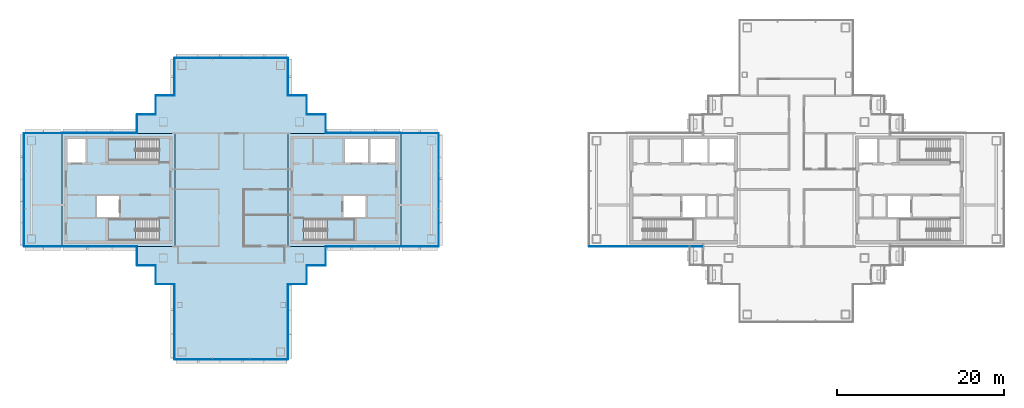
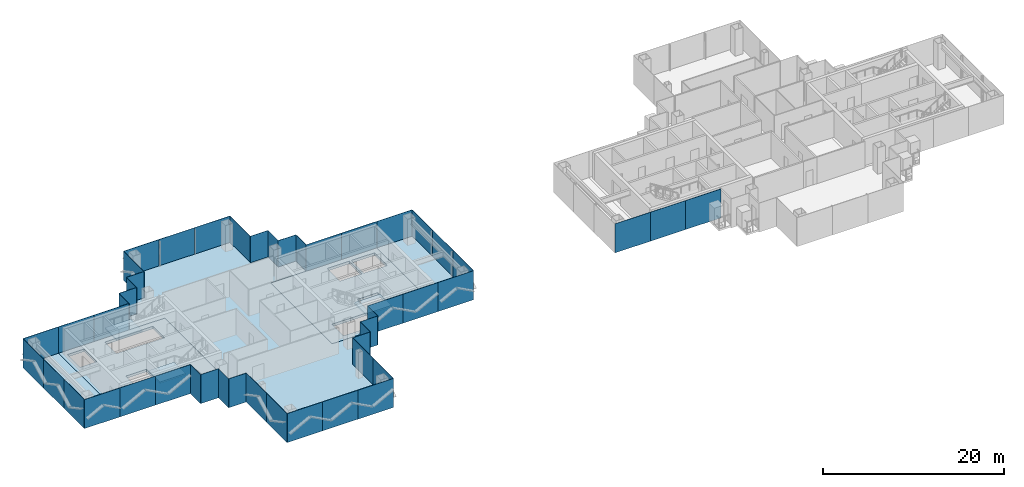
# One storey, part 7 of 17: 49 plates, 8 slabs, 25 elements without a shape of their own.
"""IFC4 building model written with IfcOpenShell, lengths in metres."""

from ifc_helpers import new_model, si_unit, direction, frame, origin, origin_2d, place, context, subcontext, project, spatial, polyline, rectangle, outline, extrude, material, layer, layer_set, type_object, element, aggregate, save


model = new_model("IFC4")

# Units and contexts
model_context = context("Model", 3, precision=1e-05, world=origin(), true_north=direction((0.0, 1.0)))
body_context = subcontext(model_context, "Body", "Model", "MODEL_VIEW")
ifc_project = project(units=[si_unit("LENGTHUNIT", "METRE"), si_unit("AREAUNIT", "SQUARE_METRE"), si_unit("VOLUMEUNIT", "CUBIC_METRE"), si_unit("PLANEANGLEUNIT", "RADIAN"), si_unit("MASSUNIT", "GRAM", prefix="KILO")], contexts=[model_context])

# Site, building, storey
site_placement = place(None, origin())
site = spatial("IfcSite", under=ifc_project, at=site_placement, CompositionType="ELEMENT")
building_placement = place(site_placement, origin())
building = spatial("IfcBuilding", under=site, at=building_placement, Name="Shamsa Quay Exchange Towers", CompositionType="ELEMENT")
storey_placement = place(building_placement, frame((0.0, 0.0, 198.300048828125)))
storey = spatial("IfcBuildingStorey", under=building, at=storey_placement, Name="L47", CompositionType="ELEMENT", Elevation=198.300048828125)

# Slabs
ifc_material_1 = material(Name="Concrete C50/60", Category="concrete")
ifc_layer_1 = layer(ifc_material_1, 0.35009765625)
ifc_layer_set_1 = layer_set([ifc_layer_1], Name="CORE FLOOR 350 C50/60")
slab_type_1 = type_object("IfcSlabType", Name="CORE FLOOR 350 C50/60", PredefinedType="FLOOR", material=ifc_layer_set_1)
slab_1_placement = place(storey_placement, frame((0.0, 0.0, -0.35009765625)))
element("IfcSlab", 1, at=slab_1_placement, inside=storey, type_object=slab_type_1, Name="Core floor T1A", PredefinedType="FLOOR", context=body_context, shape_type="SweptSolid", body=[
    extrude(outline(polyline([(-27.0, -6.75), (-13.5, -6.75), (-13.5, 6.75), (-27.0, 6.75), (-27.0, -6.75)]), holes=[polyline([(-25.099365234375, -6.050048828125), (-25.099365234375, -3.5), (-19.0, -3.5), (-19.0, -6.050048828125), (-25.099365234375, -6.050048828125)]), polyline([(-20.199951171875, 3.25), (-20.199951171875, 6.050048828125), (-17.39990234375, 6.050048828125), (-17.39990234375, 3.25), (-20.199951171875, 3.25)]), polyline([(-17.14990234375, 3.25), (-17.14990234375, 6.050048828125), (-14.199951171875, 6.050048828125), (-14.199951171875, 3.25), (-17.14990234375, 3.25)]), polyline([(-20.35009765625, -3.25), (-20.35009765625, -0.75), (-17.699951171875, -0.75), (-17.699951171875, -3.25), (-20.35009765625, -3.25)])]), origin(), (0.0, 0.0, 1.0), 0.35009765625),
])
slab_2_placement = place(storey_placement, frame((0.0, 0.0, -0.35009765625)))
element("IfcSlab", 2, at=slab_2_placement, inside=storey, type_object=slab_type_1, Name="Core floor T1B", PredefinedType="FLOOR", context=body_context, shape_type="SweptSolid", body=[
    extrude(outline(polyline([(-40.5, -6.75), (-40.5, 6.75), (-54.0, 6.75), (-54.0, -6.75), (-40.5, -6.75)]), holes=[polyline([(-42.400634765625, -3.5), (-42.400634765625, -6.050048828125), (-48.5, -6.050048828125), (-48.5, -3.5), (-42.400634765625, -3.5)]), polyline([(-42.400634765625, 6.050048828125), (-42.400634765625, 3.5), (-48.5, 3.5), (-48.5, 6.050048828125), (-42.400634765625, 6.050048828125)]), polyline([(-51.14990234375, 3.25), (-53.300048828125, 3.25), (-53.300048828125, 6.050048828125), (-51.14990234375, 6.050048828125), (-51.14990234375, 3.25)]), polyline([(-47.14990234375, -3.25), (-49.800048828125, -3.25), (-49.800048828125, -0.75), (-47.14990234375, -0.75), (-47.14990234375, -3.25)])]), origin(), (0.0, 0.0, 1.0), 0.35009765625),
])

# Stair, slab
ifc_material_2 = material(Name="Concrete C40/50", Category="concrete")
stair_type = type_object("IfcStairType", Name="EXIT STAIR 22 RISERS 177 MM", PredefinedType="HALF_TURN_STAIR", material=ifc_material_2)
stair_1_placement = place(storey_placement, origin())
stair_1 = element("IfcStair", 3, at=stair_1_placement, inside=storey, type_object=stair_type, Name="L47 Exit stair ST1", PredefinedType="HALF_TURN_STAIR")
ifc_layer_2 = layer(ifc_material_2, 0.199951171875)
ifc_layer_set_2 = layer_set([ifc_layer_2], Name="CORE STAIR LANDING")
slab_type_2 = type_object("IfcSlabType", Name="CORE STAIR LANDING", PredefinedType="LANDING", material=ifc_layer_set_2)
slab_3_placement = place(storey_placement, frame((0.0, 0.0, 1.75)))
slab_3 = element("IfcSlab", 4, at=slab_3_placement, type_object=slab_type_2, Name="ST1 landing 1", PredefinedType="LANDING", context=body_context, shape_type="SweptSolid", body=[
    extrude(outline(polyline([(-22.300048828125, -6.050048828125), (-19.0, -6.050048828125), (-19.0, -3.5), (-22.300048828125, -3.5), (-22.300048828125, -6.050048828125)])), origin(), (0.0, 0.0, 1.0), 0.199951171875),
])
aggregate(stair_1, [slab_3])

stair_2_placement = place(storey_placement, origin())
stair_2 = element("IfcStair", 5, at=stair_2_placement, inside=storey, type_object=stair_type, Name="L47 Exit stair ST2", PredefinedType="HALF_TURN_STAIR")
slab_4_placement = place(storey_placement, frame((0.0, 0.0, 1.75)))
slab_4 = element("IfcSlab", 6, at=slab_4_placement, type_object=slab_type_2, Name="ST2 landing 1", PredefinedType="LANDING", context=body_context, shape_type="SweptSolid", body=[
    extrude(outline(polyline([(-45.199951171875, -3.5), (-48.5, -3.5), (-48.5, -6.050048828125), (-45.199951171875, -6.050048828125), (-45.199951171875, -3.5)])), origin(), (0.0, 0.0, 1.0), 0.199951171875),
])
aggregate(stair_2, [slab_4])

stair_3_placement = place(storey_placement, origin())
stair_3 = element("IfcStair", 7, at=stair_3_placement, inside=storey, type_object=stair_type, Name="L47 Exit stair ST3", PredefinedType="HALF_TURN_STAIR")
slab_5_placement = place(storey_placement, frame((0.0, 0.0, 1.75)))
slab_5 = element("IfcSlab", 8, at=slab_5_placement, type_object=slab_type_2, Name="ST3 landing 1", PredefinedType="LANDING", context=body_context, shape_type="SweptSolid", body=[
    extrude(outline(polyline([(-45.199951171875, 6.050048828125), (-48.5, 6.050048828125), (-48.5, 3.5), (-45.199951171875, 3.5), (-45.199951171875, 6.050048828125)])), origin(), (0.0, 0.0, 1.0), 0.199951171875),
])
aggregate(stair_3, [slab_5])

# Curtain wall, plates
ifc_material_3 = material(Name="Aluminium EN AW-6063 T6, black anodised", Category="aluminium")
ifc_layer_3 = layer(ifc_material_3, 0.280029296875)
ifc_layer_set_3 = layer_set([ifc_layer_3], Name="CW-1 UNITISED VISION GLASS")
curtain_wall_type_1 = type_object("IfcCurtainWallType", Name="CW-1 UNITISED VISION GLASS", PredefinedType="NOTDEFINED", material=ifc_layer_set_3)
curtain_wall_1_placement = place(storey_placement, origin())
curtain_wall_1 = element("IfcCurtainWall", 9, at=curtain_wall_1_placement, inside=storey, type_object=curtain_wall_type_1, Name="CW1 T1-FLK-V-W L47", PredefinedType="NOTDEFINED")
ifc_material_4 = material(Name="Glass, laminated, dark tinted", Category="glass")
ifc_layer_4 = layer(ifc_material_4, 0.0400390625)
ifc_layer_set_4 = layer_set([ifc_layer_4], Name="CW-1 VISION GLASS 40")
plate_type_1 = type_object("IfcPlateType", Name="CW-1 VISION GLASS 40", PredefinedType="CURTAIN_PANEL", material=ifc_layer_set_4)
plate_1_placement = place(storey_placement, frame((-40.52001953125, -13.52587890625, -0.35009765625), z_axis=(0.0, 0.0, 1.0), x_axis=(0.0, -1.0, 0.0)))
plate_1 = element("IfcPlate", 10, at=plate_1_placement, type_object=plate_type_1, Name="CW1 glass panel", PredefinedType="CURTAIN_PANEL", context=body_context, shape_type="SweptSolid", body=[
    extrude(rectangle(XDim=4.47607421875, YDim=0.0400390625, at=origin_2d()), origin(), (0.0, 0.0, 1.0), 3.89990234375),
])
plate_2_placement = place(storey_placement, frame((-40.52001953125, -18.011962890625, -0.35009765625), z_axis=(0.0, 0.0, 1.0), x_axis=(0.0, -1.0, 0.0)))
plate_2 = element("IfcPlate", 11, at=plate_2_placement, type_object=plate_type_1, Name="CW1 glass panel", PredefinedType="CURTAIN_PANEL", context=body_context, shape_type="SweptSolid", body=[
    extrude(rectangle(XDim=4.47607421875, YDim=0.0400390625, at=origin_2d()), origin(), (0.0, 0.0, 1.0), 3.89990234375),
])
aggregate(curtain_wall_1, [plate_1, plate_2])

curtain_wall_2_placement = place(storey_placement, origin())
curtain_wall_2 = element("IfcCurtainWall", 12, at=curtain_wall_2_placement, inside=storey, type_object=curtain_wall_type_1, Name="CW1 T1-END-V- L47", PredefinedType="NOTDEFINED")
plate_3_placement = place(storey_placement, frame((-38.25244140625, -20.27001953125, -0.35009765625)))
plate_3 = element("IfcPlate", 13, at=plate_3_placement, type_object=plate_type_1, Name="CW1 glass panel", PredefinedType="CURTAIN_PANEL", context=body_context, shape_type="SweptSolid", body=[
    extrude(rectangle(XDim=4.4951171875, YDim=0.0400390625, at=origin_2d()), origin(), (0.0, 0.0, 1.0), 3.89990234375),
])
plate_4_placement = place(storey_placement, frame((-33.75, -20.27001953125, -0.35009765625)))
plate_4 = element("IfcPlate", 14, at=plate_4_placement, type_object=plate_type_1, Name="CW1 glass panel", PredefinedType="CURTAIN_PANEL", context=body_context, shape_type="SweptSolid", body=[
    extrude(rectangle(XDim=4.489990234375, YDim=0.0400390625, at=origin_2d()), origin(), (0.0, 0.0, 1.0), 3.89990234375),
])
plate_5_placement = place(storey_placement, frame((-29.24755859375, -20.27001953125, -0.35009765625)))
plate_5 = element("IfcPlate", 15, at=plate_5_placement, type_object=plate_type_1, Name="CW1 glass panel", PredefinedType="CURTAIN_PANEL", context=body_context, shape_type="SweptSolid", body=[
    extrude(rectangle(XDim=4.4951171875, YDim=0.0400390625, at=origin_2d()), origin(), (0.0, 0.0, 1.0), 3.89990234375),
])
aggregate(curtain_wall_2, [plate_3, plate_4, plate_5])

curtain_wall_3_placement = place(storey_placement, origin())
curtain_wall_3 = element("IfcCurtainWall", 16, at=curtain_wall_3_placement, inside=storey, type_object=curtain_wall_type_1, Name="CW1 T1-FLK-V-E L47", PredefinedType="NOTDEFINED")
plate_6_placement = place(storey_placement, frame((-26.97998046875, -18.00244140625, -0.35009765625), z_axis=(0.0, 0.0, 1.0), x_axis=(0.0, 1.0, 0.0)))
plate_6 = element("IfcPlate", 17, at=plate_6_placement, type_object=plate_type_1, Name="CW1 glass panel", PredefinedType="CURTAIN_PANEL", context=body_context, shape_type="SweptSolid", body=[
    extrude(rectangle(XDim=4.4951171875, YDim=0.0400390625, at=origin_2d()), origin(), (0.0, 0.0, 1.0), 3.89990234375),
])
plate_7_placement = place(storey_placement, frame((-26.97998046875, -13.49755859375, -0.35009765625), z_axis=(0.0, 0.0, 1.0), x_axis=(0.0, 1.0, 0.0)))
plate_7 = element("IfcPlate", 18, at=plate_7_placement, type_object=plate_type_1, Name="CW1 glass panel", PredefinedType="CURTAIN_PANEL", context=body_context, shape_type="SweptSolid", body=[
    extrude(rectangle(XDim=4.4951171875, YDim=0.0400390625, at=origin_2d()), origin(), (0.0, 0.0, 1.0), 3.89990234375),
])
aggregate(curtain_wall_3, [plate_6, plate_7])

# Curtain wall, plate
curtain_wall_4_placement = place(storey_placement, origin())
curtain_wall_4 = element("IfcCurtainWall", 19, at=curtain_wall_4_placement, inside=storey, type_object=curtain_wall_type_1, Name="CW1 T1-FLK-U+S L47", PredefinedType="NOTDEFINED")
plate_8_placement = place(storey_placement, frame((-11.25, -6.77001953125, -0.35009765625)))
plate_8 = element("IfcPlate", 20, at=plate_8_placement, type_object=plate_type_1, Name="CW1 glass panel", PredefinedType="CURTAIN_PANEL", context=body_context, shape_type="SweptSolid", body=[
    extrude(rectangle(XDim=4.5, YDim=0.0400390625, at=origin_2d()), origin(), (0.0, 0.0, 1.0), 3.89990234375),
])
aggregate(curtain_wall_4, [plate_8])

# Curtain wall, plates
curtain_wall_5_placement = place(storey_placement, origin())
curtain_wall_5 = element("IfcCurtainWall", 21, at=curtain_wall_5_placement, inside=storey, type_object=curtain_wall_type_1, Name="CW1 T1-END-U+ L47", PredefinedType="NOTDEFINED")
plate_9_placement = place(storey_placement, frame((-8.97998046875, -4.50244140625, -0.35009765625), z_axis=(0.0, 0.0, 1.0), x_axis=(0.0, 1.0, 0.0)))
plate_9 = element("IfcPlate", 22, at=plate_9_placement, type_object=plate_type_1, Name="CW1 glass panel", PredefinedType="CURTAIN_PANEL", context=body_context, shape_type="SweptSolid", body=[
    extrude(rectangle(XDim=4.4951171875, YDim=0.0400390625, at=origin_2d()), origin(), (0.0, 0.0, 1.0), 3.89990234375),
])
plate_10_placement = place(storey_placement, frame((-8.97998046875, 0.0, -0.35009765625), z_axis=(0.0, 0.0, 1.0), x_axis=(0.0, 1.0, 0.0)))
plate_10 = element("IfcPlate", 23, at=plate_10_placement, type_object=plate_type_1, Name="CW1 glass panel", PredefinedType="CURTAIN_PANEL", context=body_context, shape_type="SweptSolid", body=[
    extrude(rectangle(XDim=4.489990234375, YDim=0.0400390625, at=origin_2d()), origin(), (0.0, 0.0, 1.0), 3.89990234375),
])
plate_11_placement = place(storey_placement, frame((-8.97998046875, 4.50244140625, -0.35009765625), z_axis=(0.0, 0.0, 1.0), x_axis=(0.0, 1.0, 0.0)))
plate_11 = element("IfcPlate", 24, at=plate_11_placement, type_object=plate_type_1, Name="CW1 glass panel", PredefinedType="CURTAIN_PANEL", context=body_context, shape_type="SweptSolid", body=[
    extrude(rectangle(XDim=4.4951171875, YDim=0.0400390625, at=origin_2d()), origin(), (0.0, 0.0, 1.0), 3.89990234375),
])
aggregate(curtain_wall_5, [plate_9, plate_10, plate_11])

# Curtain wall, plate
curtain_wall_6_placement = place(storey_placement, origin())
curtain_wall_6 = element("IfcCurtainWall", 25, at=curtain_wall_6_placement, inside=storey, type_object=curtain_wall_type_1, Name="CW1 T1-FLK-U+N L47", PredefinedType="NOTDEFINED")
plate_12_placement = place(storey_placement, frame((-11.25, 6.77001953125, -0.35009765625), z_axis=(0.0, 0.0, 1.0), x_axis=(-1.0, 0.0, 0.0)))
plate_12 = element("IfcPlate", 26, at=plate_12_placement, type_object=plate_type_1, Name="CW1 glass panel", PredefinedType="CURTAIN_PANEL", context=body_context, shape_type="SweptSolid", body=[
    extrude(rectangle(XDim=4.5, YDim=0.0400390625, at=origin_2d()), origin(), (0.0, 0.0, 1.0), 3.89990234375),
])
aggregate(curtain_wall_6, [plate_12])

curtain_wall_7_placement = place(storey_placement, origin())
curtain_wall_7 = element("IfcCurtainWall", 27, at=curtain_wall_7_placement, inside=storey, type_object=curtain_wall_type_1, Name="CW1 T1-FLK-V+E L47", PredefinedType="NOTDEFINED")
plate_13_placement = place(storey_placement, frame((-26.97998046875, 13.51904296875, -0.35009765625), z_axis=(0.0, 0.0, 1.0), x_axis=(0.0, 1.0, 0.0)))
plate_13 = element("IfcPlate", 28, at=plate_13_placement, type_object=plate_type_1, Name="CW1 glass panel", PredefinedType="CURTAIN_PANEL", context=body_context, shape_type="SweptSolid", body=[
    extrude(rectangle(XDim=4.4619140625, YDim=0.0400390625, at=origin_2d()), origin(), (0.0, 0.0, 1.0), 3.89990234375),
])
aggregate(curtain_wall_7, [plate_13])

# Curtain wall, plates
curtain_wall_8_placement = place(storey_placement, origin())
curtain_wall_8 = element("IfcCurtainWall", 29, at=curtain_wall_8_placement, inside=storey, type_object=curtain_wall_type_1, Name="CW1 T1-END-V+ L47", PredefinedType="NOTDEFINED")
plate_14_placement = place(storey_placement, frame((-29.24755859375, 15.77001953125, -0.35009765625), z_axis=(0.0, 0.0, 1.0), x_axis=(-1.0, 0.0, 0.0)))
plate_14 = element("IfcPlate", 30, at=plate_14_placement, type_object=plate_type_1, Name="CW1 glass panel", PredefinedType="CURTAIN_PANEL", context=body_context, shape_type="SweptSolid", body=[
    extrude(rectangle(XDim=4.4951171875, YDim=0.0400390625, at=origin_2d()), origin(), (0.0, 0.0, 1.0), 3.89990234375),
])
plate_15_placement = place(storey_placement, frame((-33.75, 15.77001953125, -0.35009765625), z_axis=(0.0, 0.0, 1.0), x_axis=(-1.0, 0.0, 0.0)))
plate_15 = element("IfcPlate", 31, at=plate_15_placement, type_object=plate_type_1, Name="CW1 glass panel", PredefinedType="CURTAIN_PANEL", context=body_context, shape_type="SweptSolid", body=[
    extrude(rectangle(XDim=4.489990234375, YDim=0.0400390625, at=origin_2d()), origin(), (0.0, 0.0, 1.0), 3.89990234375),
])
plate_16_placement = place(storey_placement, frame((-38.25244140625, 15.77001953125, -0.35009765625), z_axis=(0.0, 0.0, 1.0), x_axis=(-1.0, 0.0, 0.0)))
plate_16 = element("IfcPlate", 32, at=plate_16_placement, type_object=plate_type_1, Name="CW1 glass panel", PredefinedType="CURTAIN_PANEL", context=body_context, shape_type="SweptSolid", body=[
    extrude(rectangle(XDim=4.4951171875, YDim=0.0400390625, at=origin_2d()), origin(), (0.0, 0.0, 1.0), 3.89990234375),
])
aggregate(curtain_wall_8, [plate_14, plate_15, plate_16])

# Curtain wall, plate
curtain_wall_9_placement = place(storey_placement, origin())
curtain_wall_9 = element("IfcCurtainWall", 33, at=curtain_wall_9_placement, inside=storey, type_object=curtain_wall_type_1, Name="CW1 T1-FLK-V+W L47", PredefinedType="NOTDEFINED")
plate_17_placement = place(storey_placement, frame((-40.52001953125, 13.5, -0.35009765625), z_axis=(0.0, 0.0, 1.0), x_axis=(0.0, -1.0, 0.0)))
plate_17 = element("IfcPlate", 34, at=plate_17_placement, type_object=plate_type_1, Name="CW1 glass panel", PredefinedType="CURTAIN_PANEL", context=body_context, shape_type="SweptSolid", body=[
    extrude(rectangle(XDim=4.5, YDim=0.0400390625, at=origin_2d()), origin(), (0.0, 0.0, 1.0), 3.89990234375),
])
aggregate(curtain_wall_9, [plate_17])

curtain_wall_10_placement = place(storey_placement, origin())
curtain_wall_10 = element("IfcCurtainWall", 35, at=curtain_wall_10_placement, inside=storey, type_object=curtain_wall_type_1, Name="CW1 T1-FLK-U-N L47", PredefinedType="NOTDEFINED")
plate_18_placement = place(storey_placement, frame((-56.25, 6.77001953125, -0.35009765625), z_axis=(0.0, 0.0, 1.0), x_axis=(-1.0, 0.0, 0.0)))
plate_18 = element("IfcPlate", 36, at=plate_18_placement, type_object=plate_type_1, Name="CW1 glass panel", PredefinedType="CURTAIN_PANEL", context=body_context, shape_type="SweptSolid", body=[
    extrude(rectangle(XDim=4.5, YDim=0.0400390625, at=origin_2d()), origin(), (0.0, 0.0, 1.0), 3.89990234375),
])
aggregate(curtain_wall_10, [plate_18])

# Curtain wall, plates
curtain_wall_11_placement = place(storey_placement, origin())
curtain_wall_11 = element("IfcCurtainWall", 37, at=curtain_wall_11_placement, inside=storey, type_object=curtain_wall_type_1, Name="CW1 T1-END-U- L47", PredefinedType="NOTDEFINED")
plate_19_placement = place(storey_placement, frame((-58.52001953125, 4.50244140625, -0.35009765625), z_axis=(0.0, 0.0, 1.0), x_axis=(0.0, -1.0, 0.0)))
plate_19 = element("IfcPlate", 38, at=plate_19_placement, type_object=plate_type_1, Name="CW1 glass panel", PredefinedType="CURTAIN_PANEL", context=body_context, shape_type="SweptSolid", body=[
    extrude(rectangle(XDim=4.4951171875, YDim=0.0400390625, at=origin_2d()), origin(), (0.0, 0.0, 1.0), 3.89990234375),
])
plate_20_placement = place(storey_placement, frame((-58.52001953125, 0.0, -0.35009765625), z_axis=(0.0, 0.0, 1.0), x_axis=(0.0, -1.0, 0.0)))
plate_20 = element("IfcPlate", 39, at=plate_20_placement, type_object=plate_type_1, Name="CW1 glass panel", PredefinedType="CURTAIN_PANEL", context=body_context, shape_type="SweptSolid", body=[
    extrude(rectangle(XDim=4.489990234375, YDim=0.0400390625, at=origin_2d()), origin(), (0.0, 0.0, 1.0), 3.89990234375),
])
plate_21_placement = place(storey_placement, frame((-58.52001953125, -4.50244140625, -0.35009765625), z_axis=(0.0, 0.0, 1.0), x_axis=(0.0, -1.0, 0.0)))
plate_21 = element("IfcPlate", 40, at=plate_21_placement, type_object=plate_type_1, Name="CW1 glass panel", PredefinedType="CURTAIN_PANEL", context=body_context, shape_type="SweptSolid", body=[
    extrude(rectangle(XDim=4.4951171875, YDim=0.0400390625, at=origin_2d()), origin(), (0.0, 0.0, 1.0), 3.89990234375),
])
aggregate(curtain_wall_11, [plate_19, plate_20, plate_21])

# Curtain wall, plate
curtain_wall_12_placement = place(storey_placement, origin())
curtain_wall_12 = element("IfcCurtainWall", 41, at=curtain_wall_12_placement, inside=storey, type_object=curtain_wall_type_1, Name="CW1 T1-FLK-U-S L47", PredefinedType="NOTDEFINED")
plate_22_placement = place(storey_placement, frame((-56.25, -6.77001953125, -0.35009765625)))
plate_22 = element("IfcPlate", 42, at=plate_22_placement, type_object=plate_type_1, Name="CW1 glass panel", PredefinedType="CURTAIN_PANEL", context=body_context, shape_type="SweptSolid", body=[
    extrude(rectangle(XDim=4.5, YDim=0.0400390625, at=origin_2d()), origin(), (0.0, 0.0, 1.0), 3.89990234375),
])
aggregate(curtain_wall_12, [plate_22])

curtain_wall_13_placement = place(storey_placement, origin())
curtain_wall_13 = element("IfcCurtainWall", 43, at=curtain_wall_13_placement, inside=storey, type_object=curtain_wall_type_1, Name="CW1 T2-FLK-V+W L47", PredefinedType="NOTDEFINED")
plate_23_placement = place(storey_placement, frame((11.25, -6.77001953125, -0.35009765625)))
plate_23 = element("IfcPlate", 44, at=plate_23_placement, type_object=plate_type_1, Name="CW1 glass panel", PredefinedType="CURTAIN_PANEL", context=body_context, shape_type="SweptSolid", body=[
    extrude(rectangle(XDim=4.5, YDim=0.0400390625, at=origin_2d()), origin(), (0.0, 0.0, 1.0), 3.89990234375),
])
aggregate(curtain_wall_13, [plate_23])

# Curtain wall, plates
ifc_layer_5 = layer(ifc_material_3, 0.303955078125)
ifc_layer_set_5 = layer_set([ifc_layer_5], Name="CW-2 UNITISED OPAQUE SPANDREL GLASS")
curtain_wall_type_2 = type_object("IfcCurtainWallType", Name="CW-2 UNITISED OPAQUE SPANDREL GLASS", PredefinedType="NOTDEFINED", material=ifc_layer_set_5)
curtain_wall_14_placement = place(storey_placement, origin())
curtain_wall_14 = element("IfcCurtainWall", 45, at=curtain_wall_14_placement, inside=storey, type_object=curtain_wall_type_2, Name="CW2 T1-FLK-U+S L47", PredefinedType="NOTDEFINED")
ifc_material_5 = material(Name="Glass, laminated, black enamelled opaque", Category="glass")
ifc_layer_6 = layer(ifc_material_5, 0.0439453125)
ifc_layer_set_6 = layer_set([ifc_layer_6], Name="CW-2 SPANDREL GLASS 44")
plate_type_2 = type_object("IfcPlateType", Name="CW-2 SPANDREL GLASS 44", PredefinedType="CURTAIN_PANEL", material=ifc_layer_set_6)
plate_24_placement = place(storey_placement, frame((-20.22412109375, -6.77197265625, -0.35009765625)))
plate_24 = element("IfcPlate", 46, at=plate_24_placement, type_object=plate_type_2, Name="CW2 glass panel", PredefinedType="CURTAIN_PANEL", context=body_context, shape_type="SweptSolid", body=[
    extrude(rectangle(XDim=4.47607421875, YDim=0.0439453125, at=origin_2d()), origin(), (0.0, 0.0, 1.0), 3.89990234375),
])
plate_25_placement = place(storey_placement, frame((-15.738037109375, -6.77197265625, -0.35009765625)))
plate_25 = element("IfcPlate", 47, at=plate_25_placement, type_object=plate_type_2, Name="CW2 glass panel", PredefinedType="CURTAIN_PANEL", context=body_context, shape_type="SweptSolid", body=[
    extrude(rectangle(XDim=4.47607421875, YDim=0.0439453125, at=origin_2d()), origin(), (0.0, 0.0, 1.0), 3.89990234375),
])
aggregate(curtain_wall_14, [plate_24, plate_25])

curtain_wall_15_placement = place(storey_placement, origin())
curtain_wall_15 = element("IfcCurtainWall", 48, at=curtain_wall_15_placement, inside=storey, type_object=curtain_wall_type_2, Name="CW2 T1-FLK-U+N L47", PredefinedType="NOTDEFINED")
plate_26_placement = place(storey_placement, frame((-15.74755859375, 6.77197265625, -0.35009765625), z_axis=(0.0, 0.0, 1.0), x_axis=(-1.0, 0.0, 0.0)))
plate_26 = element("IfcPlate", 49, at=plate_26_placement, type_object=plate_type_2, Name="CW2 glass panel", PredefinedType="CURTAIN_PANEL", context=body_context, shape_type="SweptSolid", body=[
    extrude(rectangle(XDim=4.4951171875, YDim=0.0439453125, at=origin_2d()), origin(), (0.0, 0.0, 1.0), 3.89990234375),
])
plate_27_placement = place(storey_placement, frame((-20.25244140625, 6.77197265625, -0.35009765625), z_axis=(0.0, 0.0, 1.0), x_axis=(-1.0, 0.0, 0.0)))
plate_27 = element("IfcPlate", 50, at=plate_27_placement, type_object=plate_type_2, Name="CW2 glass panel", PredefinedType="CURTAIN_PANEL", context=body_context, shape_type="SweptSolid", body=[
    extrude(rectangle(XDim=4.4951171875, YDim=0.0439453125, at=origin_2d()), origin(), (0.0, 0.0, 1.0), 3.89990234375),
])
aggregate(curtain_wall_15, [plate_26, plate_27])

curtain_wall_16_placement = place(storey_placement, origin())
curtain_wall_16 = element("IfcCurtainWall", 51, at=curtain_wall_16_placement, inside=storey, type_object=curtain_wall_type_2, Name="CW2 T1-FLK-U-N L47", PredefinedType="NOTDEFINED")
plate_28_placement = place(storey_placement, frame((-47.27587890625, 6.77197265625, -0.35009765625), z_axis=(0.0, 0.0, 1.0), x_axis=(-1.0, 0.0, 0.0)))
plate_28 = element("IfcPlate", 52, at=plate_28_placement, type_object=plate_type_2, Name="CW2 glass panel", PredefinedType="CURTAIN_PANEL", context=body_context, shape_type="SweptSolid", body=[
    extrude(rectangle(XDim=4.47607421875, YDim=0.0439453125, at=origin_2d()), origin(), (0.0, 0.0, 1.0), 3.89990234375),
])
plate_29_placement = place(storey_placement, frame((-51.761962890625, 6.77197265625, -0.35009765625), z_axis=(0.0, 0.0, 1.0), x_axis=(-1.0, 0.0, 0.0)))
plate_29 = element("IfcPlate", 53, at=plate_29_placement, type_object=plate_type_2, Name="CW2 glass panel", PredefinedType="CURTAIN_PANEL", context=body_context, shape_type="SweptSolid", body=[
    extrude(rectangle(XDim=4.47607421875, YDim=0.0439453125, at=origin_2d()), origin(), (0.0, 0.0, 1.0), 3.89990234375),
])
aggregate(curtain_wall_16, [plate_28, plate_29])

curtain_wall_17_placement = place(storey_placement, origin())
curtain_wall_17 = element("IfcCurtainWall", 54, at=curtain_wall_17_placement, inside=storey, type_object=curtain_wall_type_2, Name="CW2 T1-FLK-U-S L47", PredefinedType="NOTDEFINED")
plate_30_placement = place(storey_placement, frame((-51.75244140625, -6.77197265625, -0.35009765625)))
plate_30 = element("IfcPlate", 55, at=plate_30_placement, type_object=plate_type_2, Name="CW2 glass panel", PredefinedType="CURTAIN_PANEL", context=body_context, shape_type="SweptSolid", body=[
    extrude(rectangle(XDim=4.4951171875, YDim=0.0439453125, at=origin_2d()), origin(), (0.0, 0.0, 1.0), 3.89990234375),
])
plate_31_placement = place(storey_placement, frame((-47.24755859375, -6.77197265625, -0.35009765625)))
plate_31 = element("IfcPlate", 56, at=plate_31_placement, type_object=plate_type_2, Name="CW2 glass panel", PredefinedType="CURTAIN_PANEL", context=body_context, shape_type="SweptSolid", body=[
    extrude(rectangle(XDim=4.4951171875, YDim=0.0439453125, at=origin_2d()), origin(), (0.0, 0.0, 1.0), 3.89990234375),
])
aggregate(curtain_wall_17, [plate_30, plate_31])

curtain_wall_18_placement = place(storey_placement, origin())
curtain_wall_18 = element("IfcCurtainWall", 57, at=curtain_wall_18_placement, inside=storey, type_object=curtain_wall_type_2, Name="CW2 T2-FLK-V+W L47", PredefinedType="NOTDEFINED")
plate_32_placement = place(storey_placement, frame((15.74755859375, -6.77197265625, -0.35009765625)))
plate_32 = element("IfcPlate", 58, at=plate_32_placement, type_object=plate_type_2, Name="CW2 glass panel", PredefinedType="CURTAIN_PANEL", context=body_context, shape_type="SweptSolid", body=[
    extrude(rectangle(XDim=4.4951171875, YDim=0.0439453125, at=origin_2d()), origin(), (0.0, 0.0, 1.0), 3.89990234375),
])
plate_33_placement = place(storey_placement, frame((20.25244140625, -6.77197265625, -0.35009765625)))
plate_33 = element("IfcPlate", 59, at=plate_33_placement, type_object=plate_type_2, Name="CW2 glass panel", PredefinedType="CURTAIN_PANEL", context=body_context, shape_type="SweptSolid", body=[
    extrude(rectangle(XDim=4.4951171875, YDim=0.0439453125, at=origin_2d()), origin(), (0.0, 0.0, 1.0), 3.89990234375),
])
aggregate(curtain_wall_18, [plate_32, plate_33])

ifc_layer_7 = layer(ifc_material_3, 0.256103515625)
ifc_layer_set_7 = layer_set([ifc_layer_7], Name="CW-4 POCKET SERRATED GLAZING")
curtain_wall_type_3 = type_object("IfcCurtainWallType", Name="CW-4 POCKET SERRATED GLAZING", PredefinedType="NOTDEFINED", material=ifc_layer_set_7)
curtain_wall_19_placement = place(storey_placement, origin())
curtain_wall_19 = element("IfcCurtainWall", 60, at=curtain_wall_19_placement, inside=storey, type_object=curtain_wall_type_3, Name="CW4 PKWS L47", PredefinedType="NOTDEFINED")
ifc_layer_8 = layer(ifc_material_4, 0.035888671875)
ifc_layer_set_8 = layer_set([ifc_layer_8], Name="CW-4 POCKET GLASS 36")
plate_type_3 = type_object("IfcPlateType", Name="CW-4 POCKET GLASS 36", PredefinedType="CURTAIN_PANEL", material=ifc_layer_set_8)
plate_34_placement = place(storey_placement, frame((-42.76806640625, -10.14404296875, -0.35009765625), z_axis=(0.0, 0.0, 1.0), x_axis=(0.0, -1.0, 0.0)))
plate_34 = element("IfcPlate", 61, at=plate_34_placement, type_object=plate_type_3, Name="CW4 glass panel", PredefinedType="CURTAIN_PANEL", context=body_context, shape_type="SweptSolid", body=[
    extrude(rectangle(XDim=2.2119140625, YDim=0.035888671875, at=origin_2d()), origin(), (0.0, 0.0, 1.0), 3.89990234375),
])
plate_35_placement = place(storey_placement, frame((-41.625, -11.26806640625, -0.35009765625)))
plate_35 = element("IfcPlate", 62, at=plate_35_placement, type_object=plate_type_3, Name="CW4 glass panel", PredefinedType="CURTAIN_PANEL", context=body_context, shape_type="SweptSolid", body=[
    extrude(rectangle(XDim=2.25, YDim=0.035888671875, at=origin_2d()), origin(), (0.0, 0.0, 1.0), 3.89990234375),
])
plate_36_placement = place(storey_placement, frame((-45.01806640625, -7.89794921875, -0.35009765625), z_axis=(0.0, 0.0, 1.0), x_axis=(0.0, -1.0, 0.0)))
plate_36 = element("IfcPlate", 63, at=plate_36_placement, type_object=plate_type_3, Name="CW4 glass panel", PredefinedType="CURTAIN_PANEL", context=body_context, shape_type="SweptSolid", body=[
    extrude(rectangle(XDim=2.2041015625, YDim=0.035888671875, at=origin_2d()), origin(), (0.0, 0.0, 1.0), 3.89990234375),
])
plate_37_placement = place(storey_placement, frame((-43.875, -9.01806640625, -0.35009765625)))
plate_37 = element("IfcPlate", 64, at=plate_37_placement, type_object=plate_type_3, Name="CW4 glass panel", PredefinedType="CURTAIN_PANEL", context=body_context, shape_type="SweptSolid", body=[
    extrude(rectangle(XDim=2.25, YDim=0.035888671875, at=origin_2d()), origin(), (0.0, 0.0, 1.0), 3.89990234375),
])
aggregate(curtain_wall_19, [plate_34, plate_35, plate_36, plate_37])

curtain_wall_20_placement = place(storey_placement, origin())
curtain_wall_20 = element("IfcCurtainWall", 65, at=curtain_wall_20_placement, inside=storey, type_object=curtain_wall_type_3, Name="CW4 PKES L47", PredefinedType="NOTDEFINED")
plate_38_placement = place(storey_placement, frame((-25.85400390625, -11.26806640625, -0.35009765625)))
plate_38 = element("IfcPlate", 66, at=plate_38_placement, type_object=plate_type_3, Name="CW4 glass panel", PredefinedType="CURTAIN_PANEL", context=body_context, shape_type="SweptSolid", body=[
    extrude(rectangle(XDim=2.2080078125, YDim=0.035888671875, at=origin_2d()), origin(), (0.0, 0.0, 1.0), 3.89990234375),
])
plate_39_placement = place(storey_placement, frame((-24.73193359375, -10.125, -0.35009765625), z_axis=(0.0, 0.0, 1.0), x_axis=(0.0, 1.0, 0.0)))
plate_39 = element("IfcPlate", 67, at=plate_39_placement, type_object=plate_type_3, Name="CW4 glass panel", PredefinedType="CURTAIN_PANEL", context=body_context, shape_type="SweptSolid", body=[
    extrude(rectangle(XDim=2.25, YDim=0.035888671875, at=origin_2d()), origin(), (0.0, 0.0, 1.0), 3.89990234375),
])
plate_40_placement = place(storey_placement, frame((-23.60595703125, -9.01806640625, -0.35009765625)))
plate_40 = element("IfcPlate", 68, at=plate_40_placement, type_object=plate_type_3, Name="CW4 glass panel", PredefinedType="CURTAIN_PANEL", context=body_context, shape_type="SweptSolid", body=[
    extrude(rectangle(XDim=2.2119140625, YDim=0.035888671875, at=origin_2d()), origin(), (0.0, 0.0, 1.0), 3.89990234375),
])
plate_41_placement = place(storey_placement, frame((-22.48193359375, -7.875, -0.35009765625), z_axis=(0.0, 0.0, 1.0), x_axis=(0.0, 1.0, 0.0)))
plate_41 = element("IfcPlate", 69, at=plate_41_placement, type_object=plate_type_3, Name="CW4 glass panel", PredefinedType="CURTAIN_PANEL", context=body_context, shape_type="SweptSolid", body=[
    extrude(rectangle(XDim=2.25, YDim=0.035888671875, at=origin_2d()), origin(), (0.0, 0.0, 1.0), 3.89990234375),
])
aggregate(curtain_wall_20, [plate_38, plate_39, plate_40, plate_41])

curtain_wall_21_placement = place(storey_placement, origin())
curtain_wall_21 = element("IfcCurtainWall", 70, at=curtain_wall_21_placement, inside=storey, type_object=curtain_wall_type_3, Name="CW4 PKEN L47", PredefinedType="NOTDEFINED")
plate_42_placement = place(storey_placement, frame((-22.48193359375, 7.89794921875, -0.35009765625), z_axis=(0.0, 0.0, 1.0), x_axis=(0.0, 1.0, 0.0)))
plate_42 = element("IfcPlate", 71, at=plate_42_placement, type_object=plate_type_3, Name="CW4 glass panel", PredefinedType="CURTAIN_PANEL", context=body_context, shape_type="SweptSolid", body=[
    extrude(rectangle(XDim=2.2041015625, YDim=0.035888671875, at=origin_2d()), origin(), (0.0, 0.0, 1.0), 3.89990234375),
])
plate_43_placement = place(storey_placement, frame((-23.625, 9.01806640625, -0.35009765625), z_axis=(0.0, 0.0, 1.0), x_axis=(-1.0, 0.0, 0.0)))
plate_43 = element("IfcPlate", 72, at=plate_43_placement, type_object=plate_type_3, Name="CW4 glass panel", PredefinedType="CURTAIN_PANEL", context=body_context, shape_type="SweptSolid", body=[
    extrude(rectangle(XDim=2.25, YDim=0.035888671875, at=origin_2d()), origin(), (0.0, 0.0, 1.0), 3.89990234375),
])
plate_44_placement = place(storey_placement, frame((-24.73193359375, 10.14404296875, -0.35009765625), z_axis=(0.0, 0.0, 1.0), x_axis=(0.0, 1.0, 0.0)))
plate_44 = element("IfcPlate", 73, at=plate_44_placement, type_object=plate_type_3, Name="CW4 glass panel", PredefinedType="CURTAIN_PANEL", context=body_context, shape_type="SweptSolid", body=[
    extrude(rectangle(XDim=2.2119140625, YDim=0.035888671875, at=origin_2d()), origin(), (0.0, 0.0, 1.0), 3.89990234375),
])
plate_45_placement = place(storey_placement, frame((-25.875, 11.26806640625, -0.35009765625), z_axis=(0.0, 0.0, 1.0), x_axis=(-1.0, 0.0, 0.0)))
plate_45 = element("IfcPlate", 74, at=plate_45_placement, type_object=plate_type_3, Name="CW4 glass panel", PredefinedType="CURTAIN_PANEL", context=body_context, shape_type="SweptSolid", body=[
    extrude(rectangle(XDim=2.25, YDim=0.035888671875, at=origin_2d()), origin(), (0.0, 0.0, 1.0), 3.89990234375),
])
aggregate(curtain_wall_21, [plate_42, plate_43, plate_44, plate_45])

curtain_wall_22_placement = place(storey_placement, origin())
curtain_wall_22 = element("IfcCurtainWall", 75, at=curtain_wall_22_placement, inside=storey, type_object=curtain_wall_type_3, Name="CW4 PKWN L47", PredefinedType="NOTDEFINED")
plate_46_placement = place(storey_placement, frame((-41.64599609375, 11.26806640625, -0.35009765625), z_axis=(0.0, 0.0, 1.0), x_axis=(-1.0, 0.0, 0.0)))
plate_46 = element("IfcPlate", 76, at=plate_46_placement, type_object=plate_type_3, Name="CW4 glass panel", PredefinedType="CURTAIN_PANEL", context=body_context, shape_type="SweptSolid", body=[
    extrude(rectangle(XDim=2.2080078125, YDim=0.035888671875, at=origin_2d()), origin(), (0.0, 0.0, 1.0), 3.89990234375),
])
plate_47_placement = place(storey_placement, frame((-42.76806640625, 10.125, -0.35009765625), z_axis=(0.0, 0.0, 1.0), x_axis=(0.0, -1.0, 0.0)))
plate_47 = element("IfcPlate", 77, at=plate_47_placement, type_object=plate_type_3, Name="CW4 glass panel", PredefinedType="CURTAIN_PANEL", context=body_context, shape_type="SweptSolid", body=[
    extrude(rectangle(XDim=2.25, YDim=0.035888671875, at=origin_2d()), origin(), (0.0, 0.0, 1.0), 3.89990234375),
])
plate_48_placement = place(storey_placement, frame((-43.89404296875, 9.01806640625, -0.35009765625), z_axis=(0.0, 0.0, 1.0), x_axis=(-1.0, 0.0, 0.0)))
plate_48 = element("IfcPlate", 78, at=plate_48_placement, type_object=plate_type_3, Name="CW4 glass panel", PredefinedType="CURTAIN_PANEL", context=body_context, shape_type="SweptSolid", body=[
    extrude(rectangle(XDim=2.2119140625, YDim=0.035888671875, at=origin_2d()), origin(), (0.0, 0.0, 1.0), 3.89990234375),
])
plate_49_placement = place(storey_placement, frame((-45.01806640625, 7.875, -0.35009765625), z_axis=(0.0, 0.0, 1.0), x_axis=(0.0, -1.0, 0.0)))
plate_49 = element("IfcPlate", 79, at=plate_49_placement, type_object=plate_type_3, Name="CW4 glass panel", PredefinedType="CURTAIN_PANEL", context=body_context, shape_type="SweptSolid", body=[
    extrude(rectangle(XDim=2.25, YDim=0.035888671875, at=origin_2d()), origin(), (0.0, 0.0, 1.0), 3.89990234375),
])
aggregate(curtain_wall_22, [plate_46, plate_47, plate_48, plate_49])

# Slabs
ifc_layer_9 = layer(ifc_material_2, 0.35009765625)
ifc_layer_set_9 = layer_set([ifc_layer_9], Name="Flat slab 350")
slab_type_3 = type_object("IfcSlabType", Name="Flat slab 350", PredefinedType="FLOOR", material=ifc_layer_set_9)
slab_6_placement = place(storey_placement, frame((0.0, 0.0, -0.35009765625)))
element("IfcSlab", 80, at=slab_6_placement, inside=storey, type_object=slab_type_3, Name="Flat slab T1 L47 1", PredefinedType="FLOOR", context=body_context, shape_type="SweptSolid", body=[
    extrude(outline(polyline([(-58.5, -6.75), (-54.0, -6.75), (-54.0, 6.75), (-58.5, 6.75), (-58.5, -6.75)])), origin(), (0.0, 0.0, 1.0), 0.35009765625),
])
slab_7_placement = place(storey_placement, frame((0.0, 0.0, -0.35009765625)))
element("IfcSlab", 81, at=slab_7_placement, inside=storey, type_object=slab_type_3, Name="Flat slab T1 L47 2", PredefinedType="FLOOR", context=body_context, shape_type="SweptSolid", body=[
    extrude(outline(polyline([(-22.5, -9.0), (-22.5, -6.75), (-27.0, -6.75), (-27.0, 6.75), (-22.5, 6.75), (-22.5, 9.0), (-24.75, 9.0), (-24.75, 11.25), (-27.0, 11.25), (-27.0, 15.75), (-40.5, 15.75), (-40.5, 11.25), (-42.75, 11.25), (-42.75, 9.0), (-45.0, 9.0), (-45.0, 6.75), (-40.5, 6.75), (-40.5, -6.75), (-45.0, -6.75), (-45.0, -9.0), (-42.75, -9.0), (-42.75, -11.25), (-40.5, -11.25), (-40.5, -20.25), (-27.0, -20.25), (-27.0, -11.25), (-24.75, -11.25), (-24.75, -9.0), (-22.5, -9.0)])), origin(), (0.0, 0.0, 1.0), 0.35009765625),
])
slab_8_placement = place(storey_placement, frame((0.0, 0.0, -0.35009765625)))
element("IfcSlab", 82, at=slab_8_placement, inside=storey, type_object=slab_type_3, Name="Flat slab T1 L47 3", PredefinedType="FLOOR", context=body_context, shape_type="SweptSolid", body=[
    extrude(outline(polyline([(-9.0, 6.75), (-13.5, 6.75), (-13.5, -6.75), (-9.0, -6.75), (-9.0, 6.75)])), origin(), (0.0, 0.0, 1.0), 0.35009765625),
])

save(model, "model.ifc")
